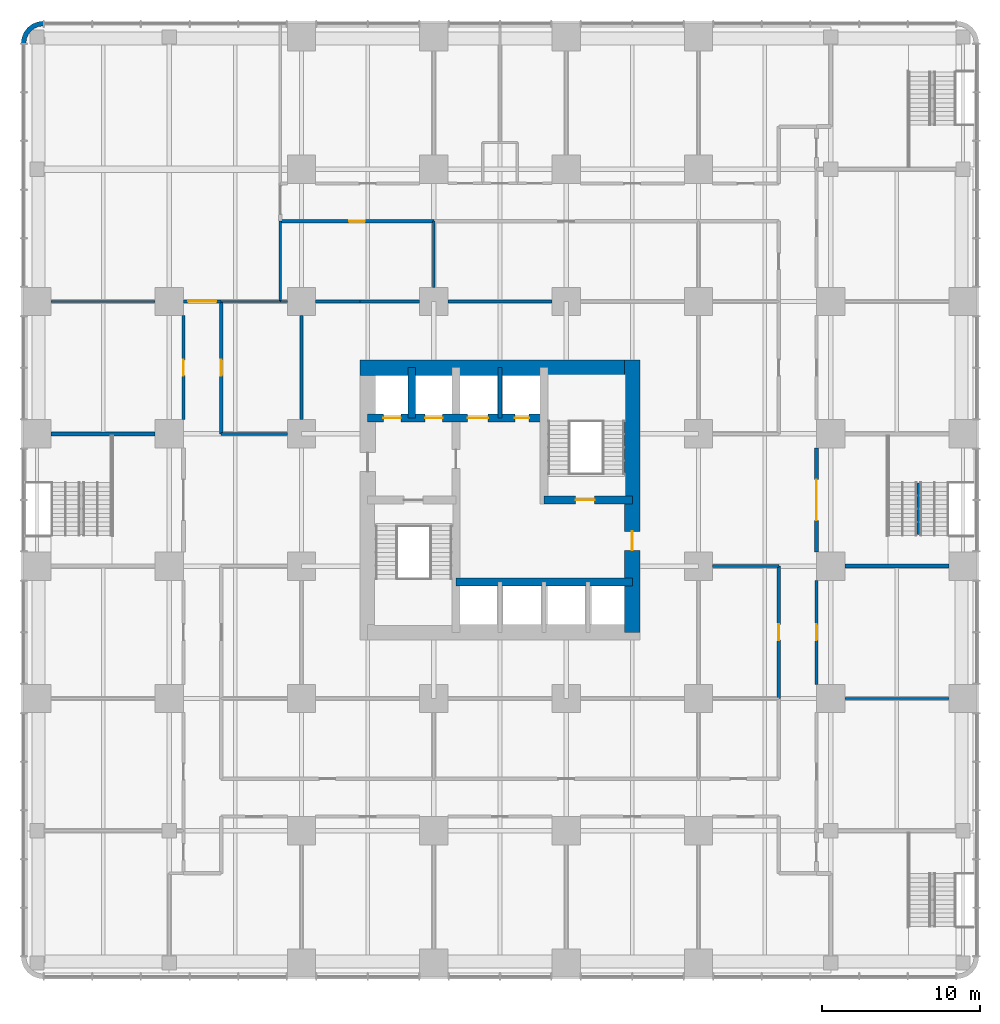
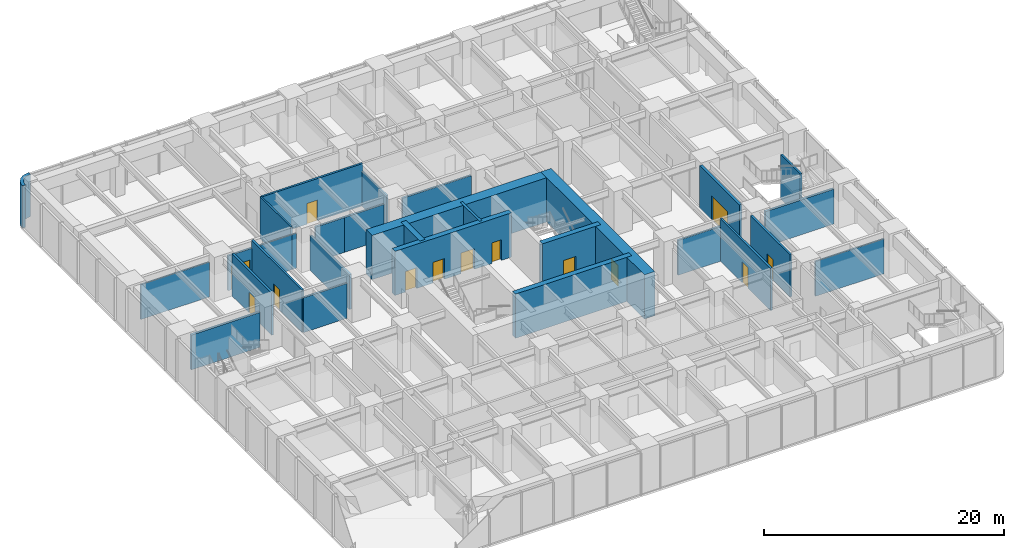
# One storey, part 11 of 17: 30 walls, 13 doors, 13 openings.
"""IFC4 building model written with IfcOpenShell, lengths in metres."""

from ifc_helpers import new_model, si_unit, direction, frame, frame_2d, origin, place, context, subcontext, project, spatial, polyline, rectangle, outline, extrude, material, layer, layer_set, type_object, element, fill, save


model = new_model("IFC4")

# Units and contexts
model_context = context("Model", 3, precision=1e-05, world=origin(), true_north=direction((0.0, 1.0)))
body_context = subcontext(model_context, "Body", "Model", "MODEL_VIEW")
ifc_project = project(units=[si_unit("LENGTHUNIT", "METRE"), si_unit("AREAUNIT", "SQUARE_METRE"), si_unit("VOLUMEUNIT", "CUBIC_METRE"), si_unit("PLANEANGLEUNIT", "RADIAN"), si_unit("MASSUNIT", "GRAM", prefix="KILO")], contexts=[model_context])

# Site, building, storey
site_placement = place(None, origin())
site = spatial("IfcSite", under=ifc_project, at=site_placement, CompositionType="ELEMENT")
building_placement = place(site_placement, origin())
building = spatial("IfcBuilding", under=site, at=building_placement, Name="Torre Alcanfor", CompositionType="ELEMENT")
storey_placement = place(building_placement, frame((0.0, 0.0, 19.5)))
storey = spatial("IfcBuildingStorey", under=building, at=storey_placement, Name="L04", CompositionType="ELEMENT", Elevation=19.5)

# Walls
ifc_material_1 = material(Name="Concrete block masonry, hollow blocks NMX-C-404 9 MPa", Category="masonry")
ifc_layer_1 = layer(ifc_material_1, 0.14990234375)
ifc_layer_set_1 = layer_set([ifc_layer_1], Name="Classroom partition 150")
wall_type_1 = type_object("IfcWallType", Name="Classroom partition 150", PredefinedType="PARTITIONING", material=ifc_layer_set_1)
wall_1_placement = place(storey_placement, frame((51.300048828125, 16.800048828125, 0.0), z_axis=(0.0, 0.0, 1.0), x_axis=(1.0, 0.0, 0.0)))
element("IfcWall", 1, at=wall_1_placement, inside=storey, type_object=wall_type_1, Name="Partition L04-09 / L04-11", PredefinedType="PARTITIONING", context=body_context, shape_type="SweptSolid", body=[
    extrude(rectangle(XDim=6.599853515625, YDim=0.14990234375, at=frame_2d((3.2998046875, 0.0))), origin(), (0.0, 0.0, 1.0), 3.543212890625),
])
wall_2_placement = place(storey_placement, frame((0.89990234375, 42.0, 0.0), z_axis=(0.0, 0.0, 1.0), x_axis=(1.0, 0.0, 0.0)))
element("IfcWall", 2, at=wall_2_placement, inside=storey, type_object=wall_type_1, Name="Partition L04-12 / L04-HALL", PredefinedType="PARTITIONING", context=body_context, shape_type="SweptSolid", body=[
    extrude(rectangle(XDim=6.60009765625, YDim=0.14990234375, at=frame_2d((3.300048828125, 0.0))), origin(), (0.0, 0.0, 1.0), 3.543212890625),
])
wall_3_placement = place(storey_placement, frame((15.449951171875, 42.0, 0.0), z_axis=(0.0, 0.0, 1.0), x_axis=(-1.0, 0.0, 0.0)))
element("IfcWall", 3, at=wall_3_placement, inside=storey, type_object=wall_type_1, Name="Partition L04-HALL / L04-I06", PredefinedType="PARTITIONING", context=body_context, shape_type="SweptSolid", body=[
    extrude(rectangle(XDim=3.75, YDim=0.14990234375, at=frame_2d((1.875, 0.0))), origin(), (0.0, 0.0, 1.0), 3.543212890625),
])
wall_4_placement = place(storey_placement, frame((15.449951171875, 47.10009765625, 0.0), z_axis=(0.0, 0.0, 1.0), x_axis=(0.0, -1.0, 0.0)))
element("IfcWall", 4, at=wall_4_placement, inside=storey, type_object=wall_type_1, Name="Partition L04-HALL / L04-I08", PredefinedType="PARTITIONING", context=body_context, shape_type="SweptSolid", body=[
    extrude(rectangle(XDim=5.10009765625, YDim=0.14990234375, at=frame_2d((2.550048828125, 0.0))), origin(), (0.0, 0.0, 1.0), 4.300048828125),
])
wall_5_placement = place(storey_placement, frame((15.449951171875, 42.0, 0.0), z_axis=(0.0, 0.0, 1.0), x_axis=(1.0, 0.0, 0.0)))
element("IfcWall", 5, at=wall_5_placement, inside=storey, type_object=wall_type_1, Name="Partition L04-I06 / L04-I08", PredefinedType="PARTITIONING", context=body_context, shape_type="SweptSolid", body=[
    extrude(rectangle(XDim=0.449951171875, YDim=0.14990234375, at=frame_2d((0.22509765625, 0.0))), origin(), (0.0, 0.0, 1.0), 3.543212890625),
])
wall_6_placement = place(storey_placement, frame((25.199951171875, 47.10009765625, 0.0), z_axis=(0.0, 0.0, 1.0), x_axis=(0.0, -1.0, 0.0)))
element("IfcWall", 6, at=wall_6_placement, inside=storey, type_object=wall_type_1, Name="Partition L04-I08 / L04-I09", PredefinedType="PARTITIONING", context=body_context, shape_type="SweptSolid", body=[
    extrude(rectangle(XDim=4.2001953125, YDim=0.14990234375, at=frame_2d((2.10009765625, 0.0))), origin(), (0.0, 0.0, 1.0), 3.543212890625),
])

# Wall, openings, doors
ifc_material_2 = material(Name="Concrete f'c 70 MPa", Category="concrete")
ifc_layer_2 = layer(ifc_material_2, 0.5)
ifc_layer_set_2 = layer_set([ifc_layer_2], Name="Core inner wall 500 f'c70")
wall_type_2 = type_object("IfcWallType", Name="Core inner wall 500 f'c70", PredefinedType="SHEAR", material=ifc_layer_set_2)
wall_7_placement = place(storey_placement, frame((21.0, 34.60009765625, 0.0), z_axis=(0.0, 0.0, 1.0), x_axis=(1.0, 0.0, 0.0)))
wall_7 = element("IfcWall", 7, at=wall_7_placement, inside=storey, type_object=wall_type_2, Name="Core wall Y346 L04", PredefinedType="SHEAR", context=body_context, shape_type="SweptSolid", body=[
    extrude(rectangle(XDim=11.199951171875, YDim=0.5, at=frame_2d((5.60009765625, 0.0))), origin(), (0.0, 0.0, 1.0), 4.5),
])
opening_1_placement = place(wall_7_placement, frame((9.35009765625, 0.0, 0.0)))
opening_1 = element("IfcOpeningElement", 8, at=opening_1_placement, cuts=wall_7, Name="Opening D-Q1", PredefinedType="OPENING", context=body_context, shape_type="SweptSolid", body=[
    extrude(rectangle(XDim=0.89990234375, YDim=2.10009765625, at=frame_2d((0.449951171875, 1.050048828125))), frame((0.0, 0.260009765625, 0.0), z_axis=(0.0, -1.0, 0.0), x_axis=(1.0, 0.0, 0.0)), (0.0, 0.0, 1.0), 0.52001953125),
])
opening_2_placement = place(wall_7_placement, frame((1.0, 0.0, 0.0)))
opening_2 = element("IfcOpeningElement", 9, at=opening_2_placement, cuts=wall_7, Name="Opening LD2", PredefinedType="OPENING", context=body_context, shape_type="SweptSolid", body=[
    extrude(rectangle(XDim=1.10009765625, YDim=2.10009765625, at=frame_2d((0.550048828125, 1.050048828125))), frame((0.0, 0.260009765625, 0.0), z_axis=(0.0, -1.0, 0.0), x_axis=(1.0, 0.0, 0.0)), (0.0, 0.0, 1.0), 0.52001953125),
])
opening_3_placement = place(wall_7_placement, frame((3.64990234375, 0.0, 0.0)))
opening_3 = element("IfcOpeningElement", 10, at=opening_3_placement, cuts=wall_7, Name="Opening LD2", PredefinedType="OPENING", context=body_context, shape_type="SweptSolid", body=[
    extrude(rectangle(XDim=1.10009765625, YDim=2.10009765625, at=frame_2d((0.550048828125, 1.050048828125))), frame((0.0, 0.260009765625, 0.0), z_axis=(0.0, -1.0, 0.0), x_axis=(1.0, 0.0, 0.0)), (0.0, 0.0, 1.0), 0.52001953125),
])
opening_4_placement = place(wall_7_placement, frame((6.35009765625, 0.0, 0.0)))
opening_4 = element("IfcOpeningElement", 11, at=opening_4_placement, cuts=wall_7, Name="Opening LD3", PredefinedType="OPENING", context=body_context, shape_type="SweptSolid", body=[
    extrude(rectangle(XDim=1.300048828125, YDim=2.10009765625, at=frame_2d((0.64990234375, 1.050048828125))), frame((0.0, 0.260009765625, 0.0), z_axis=(0.0, -1.0, 0.0), x_axis=(1.0, 0.0, 0.0)), (0.0, 0.0, 1.0), 0.52001953125),
])
ifc_material_3 = material(Name="Galvanised steel sheet ASTM A653", Category="steel")
door_type_1 = type_object("IfcDoorType", Name="Firefighting lift landing door 1100x2100", OperationType="DOUBLE_DOOR_SLIDING", PredefinedType="DOOR", material=ifc_material_3)
door_1_placement = place(opening_2_placement, origin())
door_1 = element("IfcDoor", 12, at=door_1_placement, inside=storey, type_object=door_type_1, Name="Lift landing door FL1 L04", OperationType="DOUBLE_DOOR_SLIDING", OverallHeight=2.10009765625, OverallWidth=1.10009765625, PredefinedType="DOOR", context=body_context, shape_type="SweptSolid", body=[
    extrude(rectangle(XDim=1.10009765625, YDim=2.10009765625, at=frame_2d((0.550048828125, 1.050048828125))), frame((0.0, 0.02490234375, 0.0), z_axis=(0.0, -1.0, 0.0), x_axis=(1.0, 0.0, 0.0)), (0.0, 0.0, 1.0), 0.050048828125),
])
fill(opening_2, door_1)
door_2_placement = place(opening_3_placement, origin())
door_2 = element("IfcDoor", 13, at=door_2_placement, inside=storey, type_object=door_type_1, Name="Lift landing door FL2 L04", OperationType="DOUBLE_DOOR_SLIDING", OverallHeight=2.10009765625, OverallWidth=1.10009765625, PredefinedType="DOOR", context=body_context, shape_type="SweptSolid", body=[
    extrude(rectangle(XDim=1.10009765625, YDim=2.10009765625, at=frame_2d((0.550048828125, 1.050048828125))), frame((0.0, 0.02490234375, 0.0), z_axis=(0.0, -1.0, 0.0), x_axis=(1.0, 0.0, 0.0)), (0.0, 0.0, 1.0), 0.050048828125),
])
fill(opening_3, door_2)
ifc_material_4 = material(Name="Galvanised steel sheet ASTM A653", Category="steel")
door_type_2 = type_object("IfcDoorType", Name="Riser access door FD120 900x2100", OperationType="SINGLE_SWING_LEFT", PredefinedType="DOOR", material=ifc_material_4)
door_3_placement = place(opening_1_placement, origin())
door_3 = element("IfcDoor", 14, at=door_3_placement, inside=storey, type_object=door_type_2, Name="Riser door L04", OperationType="SINGLE_SWING_LEFT", OverallHeight=2.10009765625, OverallWidth=0.89990234375, PredefinedType="DOOR", context=body_context, shape_type="SweptSolid", body=[
    extrude(rectangle(XDim=0.89990234375, YDim=2.10009765625, at=frame_2d((0.449951171875, 1.050048828125))), frame((0.0, 0.02490234375, 0.0), z_axis=(0.0, -1.0, 0.0), x_axis=(1.0, 0.0, 0.0)), (0.0, 0.0, 1.0), 0.050048828125),
])
fill(opening_1, door_3)
ifc_material_5 = material(Name="Galvanised steel sheet ASTM A653", Category="steel")
door_type_3 = type_object("IfcDoorType", Name="Service lift landing door 1300x2100", OperationType="DOUBLE_DOOR_SLIDING", PredefinedType="DOOR", material=ifc_material_5)
door_4_placement = place(opening_4_placement, origin())
door_4 = element("IfcDoor", 15, at=door_4_placement, inside=storey, type_object=door_type_3, Name="Lift landing door SL1 L04", OperationType="DOUBLE_DOOR_SLIDING", OverallHeight=2.10009765625, OverallWidth=1.300048828125, PredefinedType="DOOR", context=body_context, shape_type="SweptSolid", body=[
    extrude(rectangle(XDim=1.300048828125, YDim=2.10009765625, at=frame_2d((0.64990234375, 1.050048828125))), frame((0.0, 0.02490234375, 0.0), z_axis=(0.0, -1.0, 0.0), x_axis=(1.0, 0.0, 0.0)), (0.0, 0.0, 1.0), 0.050048828125),
])
fill(opening_4, door_4)

# Walls
wall_8_placement = place(storey_placement, frame((23.800048828125, 34.60009765625, 0.0), z_axis=(0.0, 0.0, 1.0), x_axis=(0.0, 1.0, 0.0)))
element("IfcWall", 16, at=wall_8_placement, inside=storey, type_object=wall_type_2, Name="Core wall X238 L04", PredefinedType="SHEAR", context=body_context, shape_type="SweptSolid", body=[
    extrude(rectangle(XDim=3.199951171875, YDim=0.5, at=frame_2d((1.60009765625, 0.0))), origin(), (0.0, 0.0, 1.0), 4.5),
])
wall_9_placement = place(storey_placement, frame((26.60009765625, 24.199951171875, 0.0), z_axis=(0.0, 0.0, 1.0), x_axis=(1.0, 0.0, 0.0)))
element("IfcWall", 17, at=wall_9_placement, inside=storey, type_object=wall_type_2, Name="Core wall Y242 L04", PredefinedType="SHEAR", context=body_context, shape_type="SweptSolid", body=[
    extrude(rectangle(XDim=11.199951171875, YDim=0.5, at=frame_2d((5.60009765625, 0.0))), origin(), (0.0, 0.0, 1.0), 4.5),
])

# Wall, opening, door
wall_10_placement = place(storey_placement, frame((32.199951171875, 29.39990234375, 0.0), z_axis=(0.0, 0.0, 1.0), x_axis=(1.0, 0.0, 0.0)))
wall_10 = element("IfcWall", 18, at=wall_10_placement, inside=storey, type_object=wall_type_2, Name="Core wall Y294E L04", PredefinedType="SHEAR", context=body_context, shape_type="SweptSolid", body=[
    extrude(rectangle(XDim=5.60009765625, YDim=0.5, at=frame_2d((2.800048828125, 0.0))), origin(), (0.0, 0.0, 1.0), 4.5),
])
opening_5_placement = place(wall_10_placement, frame((2.0, 0.0, 0.0)))
opening_5 = element("IfcOpeningElement", 19, at=opening_5_placement, cuts=wall_10, Name="Opening D-S2", PredefinedType="OPENING", context=body_context, shape_type="SweptSolid", body=[
    extrude(rectangle(XDim=1.199951171875, YDim=2.10009765625, at=frame_2d((0.60009765625, 1.050048828125))), frame((0.0, 0.260009765625, 0.0), z_axis=(0.0, -1.0, 0.0), x_axis=(1.0, 0.0, 0.0)), (0.0, 0.0, 1.0), 0.52001953125),
])
ifc_material_6 = material(Name="Galvanised steel sheet ASTM A653", Category="steel")
door_type_4 = type_object("IfcDoorType", Name="Stair enclosure door FD120 1200x2100", OperationType="SINGLE_SWING_LEFT", PredefinedType="DOOR", material=ifc_material_6)
door_5_placement = place(opening_5_placement, origin())
door_5 = element("IfcDoor", 20, at=door_5_placement, inside=storey, type_object=door_type_4, Name="Stair S2 door L04", OperationType="SINGLE_SWING_LEFT", OverallHeight=2.10009765625, OverallWidth=1.199951171875, PredefinedType="DOOR", context=body_context, shape_type="SweptSolid", body=[
    extrude(rectangle(XDim=1.199951171875, YDim=2.10009765625, at=frame_2d((0.60009765625, 1.050048828125))), frame((0.0, 0.02490234375, 0.0), z_axis=(0.0, -1.0, 0.0), x_axis=(1.0, 0.0, 0.0)), (0.0, 0.0, 1.0), 0.050048828125),
])
fill(opening_5, door_5)

# Wall
ifc_material_7 = material(Name="Concrete f'c 70 MPa", Category="concrete")
ifc_layer_3 = layer(ifc_material_7, 0.25)
ifc_layer_set_3 = layer_set([ifc_layer_3], Name="Core shaft wall 250 f'c70")
wall_type_3 = type_object("IfcWallType", Name="Core shaft wall 250 f'c70", PredefinedType="SHEAR", material=ifc_layer_set_3)
wall_11_placement = place(storey_placement, frame((29.39990234375, 34.60009765625, 0.0), z_axis=(0.0, 0.0, 1.0), x_axis=(0.0, 1.0, 0.0)))
element("IfcWall", 21, at=wall_11_placement, inside=storey, type_object=wall_type_3, Name="Core wall X294N L04", PredefinedType="SHEAR", context=body_context, shape_type="SweptSolid", body=[
    extrude(rectangle(XDim=3.199951171875, YDim=0.25, at=frame_2d((1.60009765625, 0.0))), origin(), (0.0, 0.0, 1.0), 4.5),
])

# Wall, opening, door
ifc_material_8 = material(Name="Concrete f'c 70 MPa", Category="concrete")
ifc_layer_4 = layer(ifc_material_8, 1.0)
ifc_layer_set_4 = layer_set([ifc_layer_4], Name="Core wall 1000 f'c70")
wall_type_4 = type_object("IfcWallType", Name="Core wall 1000 f'c70", PredefinedType="SHEAR", material=ifc_layer_set_4)
wall_12_placement = place(storey_placement, frame((37.800048828125, 21.0, 0.0), z_axis=(0.0, 0.0, 1.0), x_axis=(0.0, 1.0, 0.0)))
wall_12 = element("IfcWall", 22, at=wall_12_placement, inside=storey, type_object=wall_type_4, Name="Core wall OUT-E L04", PredefinedType="SHEAR", context=body_context, shape_type="SweptSolid", body=[
    extrude(rectangle(XDim=17.300048828125, YDim=1.0, at=frame_2d((8.64990234375, 0.0))), origin(), (0.0, 0.0, 1.0), 4.5),
])
opening_6_placement = place(wall_12_placement, frame((5.199951171875, 0.0, 0.0)))
opening_6 = element("IfcOpeningElement", 23, at=opening_6_placement, cuts=wall_12, Name="Opening D-L1", PredefinedType="OPENING", context=body_context, shape_type="SweptSolid", body=[
    extrude(rectangle(XDim=1.199951171875, YDim=2.10009765625, at=frame_2d((0.60009765625, 1.050048828125))), frame((0.0, 0.510009765625, 0.0), z_axis=(0.0, -1.0, 0.0), x_axis=(1.0, 0.0, 0.0)), (0.0, 0.0, 1.0), 1.02001953125),
])
ifc_material_9 = material(Name="Galvanised steel sheet ASTM A653", Category="steel")
door_type_5 = type_object("IfcDoorType", Name="Lobby door FD120 1200x2100", OperationType="SINGLE_SWING_LEFT", PredefinedType="DOOR", material=ifc_material_9)
door_6_placement = place(opening_6_placement, frame((1.199951171875, 0.0, 0.0), z_axis=(0.0, 0.0, 1.0), x_axis=(-1.0, 0.0, 0.0)))
door_6 = element("IfcDoor", 24, at=door_6_placement, inside=storey, type_object=door_type_5, Name="Lift lobby entrance door L04", OperationType="SINGLE_SWING_RIGHT", OverallHeight=2.10009765625, OverallWidth=1.199951171875, PredefinedType="DOOR", context=body_context, shape_type="SweptSolid", body=[
    extrude(rectangle(XDim=1.199951171875, YDim=2.10009765625, at=frame_2d((0.599853515625, 1.050048828125))), frame((0.0, 0.025146484375, 0.0), z_axis=(0.0, -1.0, 0.0), x_axis=(1.0, 0.0, 0.0)), (0.0, 0.0, 1.0), 0.050048828125),
])
fill(opening_6, door_6)

# Walls
wall_13_placement = place(storey_placement, frame((37.800048828125, 37.800048828125, 0.0), z_axis=(0.0, 0.0, 1.0), x_axis=(-1.0, 0.0, 0.0)))
element("IfcWall", 25, at=wall_13_placement, inside=storey, type_object=wall_type_4, Name="Core wall OUT-N L04", PredefinedType="SHEAR", context=body_context, shape_type="SweptSolid", body=[
    extrude(rectangle(XDim=17.300048828125, YDim=1.0, at=frame_2d((8.64990234375, 0.0))), origin(), (0.0, 0.0, 1.0), 4.5),
])
ifc_material_10 = material(Name="Limestone cladding", Category="masonry")
ifc_layer_5 = layer(ifc_material_10, 0.0400390625, Name="Facing")
ifc_material_11 = material(Name="Ventilated air cavity")
ifc_layer_6 = layer(ifc_material_11, 0.02001953125, ventilated=True, Name="Ventilated joint")
ifc_material_12 = material(Name="Mineral wool insulation", Category="insulation")
ifc_layer_7 = layer(ifc_material_12, 0.10009765625, Name="Insulation")
ifc_material_13 = material(Name="Concrete f'c 35 MPa", Category="concrete")
ifc_layer_8 = layer(ifc_material_13, 0.139892578125, Name="Backing")
ifc_layer_set_5 = layer_set([ifc_layer_5, ifc_layer_6, ifc_layer_7, ifc_layer_8], Name="Rounded corner pier stone-clad 300")
wall_type_5 = type_object("IfcWallType", Name="Rounded corner pier stone-clad 300", PredefinedType="SOLIDWALL", material=ifc_layer_set_5)
wall_14_placement = place(storey_placement, frame((0.444811019, 59.647901787, 0.0), z_axis=(0.0, 0.0, 1.0), x_axis=(-0.707106781187, 0.707106781187, 0.0)))
element("IfcWall", 26, at=wall_14_placement, inside=storey, type_object=wall_type_5, Name="Corner pier L04 6", PredefinedType="SOLIDWALL", context=body_context, shape_type="SweptSolid", body=[
    extrude(outline(polyline([(0.1391667998288333, 1.9041045383070583), (-0.10079375335703122, 1.719731969384394), (-0.08681044054548093, 1.7057486565728435), (0.09963373027519085, 1.4626807005399678), (0.20925599737808592, 1.1980335580695145), (0.24654483154222023, 0.9142240980424918), (0.2092559973780859, 0.6300693710324682), (0.09963373027519096, 0.3654222285620147), (-0.08681044054548079, 0.12235427252913894), (-0.10079375335703117, 0.10837095971758856), (0.139339433320334, -0.07582897571357508), (0.36169137037313503, 0.2141952900074698), (0.5015244984886389, 0.5518663993826864), (0.5491713421428104, 0.9140514645509912), (0.5016971319801394, 1.2764091632107966), (0.36169137037313503, 1.614252906077514), (0.1391667998288333, 1.9041045383070583)])), origin(), (0.0, 0.0, 1.0), 4.300048828125),
])

# Wall, opening, door
ifc_material_14 = material(Name="Concrete block masonry, hollow blocks NMX-C-404 9 MPa", Category="masonry")
ifc_layer_9 = layer(ifc_material_14, 0.199951171875)
ifc_layer_set_6 = layer_set([ifc_layer_9], Name="School corridor wall 200")
wall_type_6 = type_object("IfcWallType", Name="School corridor wall 200", PredefinedType="PARTITIONING", material=ifc_layer_set_6)
wall_15_placement = place(storey_placement, frame((49.5, 17.699951171875, 0.0), z_axis=(0.0, 0.0, 1.0), x_axis=(0.0, 1.0, 0.0)))
wall_15 = element("IfcWall", 27, at=wall_15_placement, inside=storey, type_object=wall_type_6, Name="Partition L04-11 / L04-CORR", PredefinedType="PARTITIONING", context=body_context, shape_type="SweptSolid", body=[
    extrude(rectangle(XDim=6.60009765625, YDim=0.199951171875, at=frame_2d((3.300048828125, 0.0))), origin(), (0.0, 0.0, 1.0), 4.300048828125),
])
opening_7_placement = place(wall_15_placement, frame((2.800048828125, 0.0, 0.0)))
opening_7 = element("IfcOpeningElement", 28, at=opening_7_placement, cuts=wall_15, Name="Opening D-C1", PredefinedType="OPENING", context=body_context, shape_type="SweptSolid", body=[
    extrude(rectangle(XDim=1.0, YDim=2.10009765625, at=frame_2d((0.5, 1.050048828125))), frame((0.0, 0.10986328125, 0.0), z_axis=(0.0, -1.0, 0.0), x_axis=(1.0, 0.0, 0.0)), (0.0, 0.0, 1.0), 0.219970703125),
])
ifc_material_15 = material(Name="Timber", Category="wood")
door_type_6 = type_object("IfcDoorType", Name="Classroom door 1000x2100", OperationType="SINGLE_SWING_RIGHT", PredefinedType="DOOR", material=ifc_material_15)
door_7_placement = place(opening_7_placement, frame((1.0, 0.0, 0.0), z_axis=(0.0, 0.0, 1.0), x_axis=(-1.0, 0.0, 0.0)))
door_7 = element("IfcDoor", 29, at=door_7_placement, inside=storey, type_object=door_type_6, Name="Door L04-11 classroom", OperationType="SINGLE_SWING_RIGHT", OverallHeight=2.10009765625, OverallWidth=1.0, PredefinedType="DOOR", context=body_context, shape_type="SweptSolid", body=[
    extrude(rectangle(XDim=1.0, YDim=2.10009765625, at=frame_2d((0.5, 1.050048828125))), frame((0.0, 0.025146484375, 0.0), z_axis=(0.0, -1.0, 0.0), x_axis=(1.0, 0.0, 0.0)), (0.0, 0.0, 1.0), 0.050048828125),
])
fill(opening_7, door_7)

wall_16_placement = place(storey_placement, frame((9.300048828125, 41.10009765625, 0.0), z_axis=(0.0, 0.0, 1.0), x_axis=(0.0, -1.0, 0.0)))
wall_16 = element("IfcWall", 30, at=wall_16_placement, inside=storey, type_object=wall_type_6, Name="Partition L04-12 / L04-CORR", PredefinedType="PARTITIONING", context=body_context, shape_type="SweptSolid", body=[
    extrude(rectangle(XDim=6.60009765625, YDim=0.199951171875, at=frame_2d((3.300048828125, 0.0))), origin(), (0.0, 0.0, 1.0), 4.300048828125),
])
opening_8_placement = place(wall_16_placement, frame((2.800048828125, 0.0, 0.0)))
opening_8 = element("IfcOpeningElement", 31, at=opening_8_placement, cuts=wall_16, Name="Opening D-C1", PredefinedType="OPENING", context=body_context, shape_type="SweptSolid", body=[
    extrude(rectangle(XDim=1.0, YDim=2.10009765625, at=frame_2d((0.5, 1.050048828125))), frame((0.0, 0.10986328125, 0.0), z_axis=(0.0, -1.0, 0.0), x_axis=(1.0, 0.0, 0.0)), (0.0, 0.0, 1.0), 0.219970703125),
])
door_8_placement = place(opening_8_placement, frame((1.0, 0.0, 0.0), z_axis=(0.0, 0.0, 1.0), x_axis=(-1.0, 0.0, 0.0)))
door_8 = element("IfcDoor", 32, at=door_8_placement, inside=storey, type_object=door_type_6, Name="Door L04-12 classroom", OperationType="SINGLE_SWING_RIGHT", OverallHeight=2.10009765625, OverallWidth=1.0, PredefinedType="DOOR", context=body_context, shape_type="SweptSolid", body=[
    extrude(rectangle(XDim=1.0, YDim=2.10009765625, at=frame_2d((0.5, 1.050048828125))), frame((0.0, 0.025146484375, 0.0), z_axis=(0.0, -1.0, 0.0), x_axis=(1.0, 0.0, 0.0)), (0.0, 0.0, 1.0), 0.050048828125),
])
fill(opening_8, door_8)

wall_17_placement = place(storey_placement, frame((11.699951171875, 42.0, 0.0), z_axis=(0.0, 0.0, 1.0), x_axis=(-1.0, 0.0, 0.0)))
wall_17 = element("IfcWall", 33, at=wall_17_placement, inside=storey, type_object=wall_type_6, Name="Partition L04-HALL / L04-CORR", PredefinedType="PARTITIONING", context=body_context, shape_type="SweptSolid", body=[
    extrude(rectangle(XDim=2.39990234375, YDim=0.199951171875, at=frame_2d((1.199951171875, 0.0))), origin(), (0.0, 0.0, 1.0), 3.543212890625),
])
opening_9_placement = place(wall_17_placement, frame((0.300048828125, 0.0, 0.0)))
opening_9 = element("IfcOpeningElement", 34, at=opening_9_placement, cuts=wall_17, Name="Opening D-C2", PredefinedType="OPENING", context=body_context, shape_type="SweptSolid", body=[
    extrude(rectangle(XDim=1.800048828125, YDim=2.39990234375, at=frame_2d((0.89990234375, 1.199951171875))), frame((0.0, 0.10986328125, 0.0), z_axis=(0.0, -1.0, 0.0), x_axis=(1.0, 0.0, 0.0)), (0.0, 0.0, 1.0), 0.219970703125),
])
ifc_material_16 = material(Name="Timber", Category="wood")
door_type_7 = type_object("IfcDoorType", Name="Double door 1800x2400", OperationType="DOUBLE_DOOR_SINGLE_SWING", PredefinedType="DOOR", material=ifc_material_16)
door_9_placement = place(opening_9_placement, origin())
door_9 = element("IfcDoor", 35, at=door_9_placement, inside=storey, type_object=door_type_7, Name="Door L04-HALL sports hall", OperationType="DOUBLE_DOOR_SINGLE_SWING", OverallHeight=2.39990234375, OverallWidth=1.800048828125, PredefinedType="DOOR", context=body_context, shape_type="SweptSolid", body=[
    extrude(rectangle(XDim=1.800048828125, YDim=2.39990234375, at=frame_2d((0.89990234375, 1.199951171875))), frame((0.0, 0.02490234375, 0.0), z_axis=(0.0, -1.0, 0.0), x_axis=(1.0, 0.0, 0.0)), (0.0, 0.0, 1.0), 0.050048828125),
])
fill(opening_9, door_9)

wall_18_placement = place(storey_placement, frame((47.10009765625, 16.800048828125, 0.0), z_axis=(0.0, 0.0, 1.0), x_axis=(0.0, 1.0, 0.0)))
wall_18 = element("IfcWall", 36, at=wall_18_placement, inside=storey, type_object=wall_type_6, Name="Partition L04-CORR / L04-I05", PredefinedType="PARTITIONING", context=body_context, shape_type="SweptSolid", body=[
    extrude(rectangle(XDim=8.39990234375, YDim=0.199951171875, at=frame_2d((4.199951171875, 0.0))), origin(), (0.0, 0.0, 1.0), 4.300048828125),
])
opening_10_placement = place(wall_18_placement, frame((3.699951171875, 0.0, 0.0)))
opening_10 = element("IfcOpeningElement", 37, at=opening_10_placement, cuts=wall_18, Name="Opening D-C1", PredefinedType="OPENING", context=body_context, shape_type="SweptSolid", body=[
    extrude(rectangle(XDim=1.0, YDim=2.10009765625, at=frame_2d((0.5, 1.050048828125))), frame((0.0, 0.10986328125, 0.0), z_axis=(0.0, -1.0, 0.0), x_axis=(1.0, 0.0, 0.0)), (0.0, 0.0, 1.0), 0.219970703125),
])
door_10_placement = place(opening_10_placement, origin())
door_10 = element("IfcDoor", 38, at=door_10_placement, inside=storey, type_object=door_type_6, Name="Door L04-I05 group room", OperationType="SINGLE_SWING_LEFT", OverallHeight=2.10009765625, OverallWidth=1.0, PredefinedType="DOOR", context=body_context, shape_type="SweptSolid", body=[
    extrude(rectangle(XDim=1.0, YDim=2.10009765625, at=frame_2d((0.5, 1.050048828125))), frame((0.0, 0.02490234375, 0.0), z_axis=(0.0, -1.0, 0.0), x_axis=(1.0, 0.0, 0.0)), (0.0, 0.0, 1.0), 0.050048828125),
])
fill(opening_10, door_10)

wall_19_placement = place(storey_placement, frame((11.699951171875, 42.0, 0.0), z_axis=(0.0, 0.0, 1.0), x_axis=(0.0, -1.0, 0.0)))
wall_19 = element("IfcWall", 39, at=wall_19_placement, inside=storey, type_object=wall_type_6, Name="Partition L04-CORR / L04-I06", PredefinedType="PARTITIONING", context=body_context, shape_type="SweptSolid", body=[
    extrude(rectangle(XDim=8.39990234375, YDim=0.199951171875, at=frame_2d((4.199951171875, 0.0))), origin(), (0.0, 0.0, 1.0), 4.300048828125),
])
opening_11_placement = place(wall_19_placement, frame((3.699951171875, 0.0, 0.0)))
opening_11 = element("IfcOpeningElement", 40, at=opening_11_placement, cuts=wall_19, Name="Opening D-C1", PredefinedType="OPENING", context=body_context, shape_type="SweptSolid", body=[
    extrude(rectangle(XDim=1.0, YDim=2.10009765625, at=frame_2d((0.5, 1.050048828125))), frame((0.0, 0.10986328125, 0.0), z_axis=(0.0, -1.0, 0.0), x_axis=(1.0, 0.0, 0.0)), (0.0, 0.0, 1.0), 0.219970703125),
])
door_11_placement = place(opening_11_placement, origin())
door_11 = element("IfcDoor", 41, at=door_11_placement, inside=storey, type_object=door_type_6, Name="Door L04-I06 group room", OperationType="SINGLE_SWING_LEFT", OverallHeight=2.10009765625, OverallWidth=1.0, PredefinedType="DOOR", context=body_context, shape_type="SweptSolid", body=[
    extrude(rectangle(XDim=1.0, YDim=2.10009765625, at=frame_2d((0.5, 1.050048828125))), frame((0.0, 0.02490234375, 0.0), z_axis=(0.0, -1.0, 0.0), x_axis=(1.0, 0.0, 0.0)), (0.0, 0.0, 1.0), 0.050048828125),
])
fill(opening_11, door_11)

wall_20_placement = place(storey_placement, frame((25.199951171875, 47.10009765625, 0.0), z_axis=(0.0, 0.0, 1.0), x_axis=(-1.0, 0.0, 0.0)))
wall_20 = element("IfcWall", 42, at=wall_20_placement, inside=storey, type_object=wall_type_6, Name="Partition L04-CORR / L04-I08", PredefinedType="PARTITIONING", context=body_context, shape_type="SweptSolid", body=[
    extrude(rectangle(XDim=9.75, YDim=0.199951171875, at=frame_2d((4.875, 0.0))), origin(), (0.0, 0.0, 1.0), 4.300048828125),
])
opening_12_placement = place(wall_20_placement, frame((4.375, 0.0, 0.0)))
opening_12 = element("IfcOpeningElement", 43, at=opening_12_placement, cuts=wall_20, Name="Opening D-C1", PredefinedType="OPENING", context=body_context, shape_type="SweptSolid", body=[
    extrude(rectangle(XDim=1.0, YDim=2.10009765625, at=frame_2d((0.5, 1.050048828125))), frame((0.0, 0.10986328125, 0.0), z_axis=(0.0, -1.0, 0.0), x_axis=(1.0, 0.0, 0.0)), (0.0, 0.0, 1.0), 0.219970703125),
])
door_12_placement = place(opening_12_placement, origin())
door_12 = element("IfcDoor", 44, at=door_12_placement, inside=storey, type_object=door_type_6, Name="Door L04-I08 art room", OperationType="SINGLE_SWING_LEFT", OverallHeight=2.10009765625, OverallWidth=1.0, PredefinedType="DOOR", context=body_context, shape_type="SweptSolid", body=[
    extrude(rectangle(XDim=1.0, YDim=2.10009765625, at=frame_2d((0.5, 1.050048828125))), frame((0.0, 0.02490234375, 0.0), z_axis=(0.0, -1.0, 0.0), x_axis=(1.0, 0.0, 0.0)), (0.0, 0.0, 1.0), 0.050048828125),
])
fill(opening_12, door_12)

# Walls
wall_21_placement = place(storey_placement, frame((11.699951171875, 33.60009765625, 0.0), z_axis=(0.0, 0.0, 1.0), x_axis=(1.0, 0.0, 0.0)))
element("IfcWall", 45, at=wall_21_placement, inside=storey, type_object=wall_type_6, Name="Partition L04-LLW / L04-I06", PredefinedType="PARTITIONING", context=body_context, shape_type="SweptSolid", body=[
    extrude(rectangle(XDim=4.199951171875, YDim=0.199951171875, at=frame_2d((2.10009765625, 0.0))), origin(), (0.0, 0.0, 1.0), 3.543212890625),
])
wall_22_placement = place(storey_placement, frame((16.800048828125, 34.5, 0.0), z_axis=(0.0, 0.0, 1.0), x_axis=(0.0, 1.0, 0.0)))
element("IfcWall", 46, at=wall_22_placement, inside=storey, type_object=wall_type_6, Name="Partition L04-LLW / L04-I06", PredefinedType="PARTITIONING", context=body_context, shape_type="SweptSolid", body=[
    extrude(rectangle(XDim=6.60009765625, YDim=0.199951171875, at=frame_2d((3.300048828125, 0.0))), origin(), (0.0, 0.0, 1.0), 3.543212890625),
])
wall_23_placement = place(storey_placement, frame((17.699951171875, 42.0, 0.0), z_axis=(0.0, 0.0, 1.0), x_axis=(1.0, 0.0, 0.0)))
element("IfcWall", 47, at=wall_23_placement, inside=storey, type_object=wall_type_6, Name="Partition L04-LLW / L04-I08", PredefinedType="PARTITIONING", context=body_context, shape_type="SweptSolid", body=[
    extrude(rectangle(XDim=2.800048828125, YDim=0.199951171875, at=frame_2d((1.39990234375, 0.0))), origin(), (0.0, 0.0, 1.0), 3.543212890625),
])
wall_24_placement = place(storey_placement, frame((47.10009765625, 25.199951171875, 0.0), z_axis=(0.0, 0.0, 1.0), x_axis=(-1.0, 0.0, 0.0)))
element("IfcWall", 48, at=wall_24_placement, inside=storey, type_object=wall_type_6, Name="Partition L04-LLE / L04-I05", PredefinedType="PARTITIONING", context=body_context, shape_type="SweptSolid", body=[
    extrude(rectangle(XDim=4.2001953125, YDim=0.199951171875, at=frame_2d((2.10009765625, 0.0))), origin(), (0.0, 0.0, 1.0), 3.543212890625),
])
wall_25_placement = place(storey_placement, frame((20.5, 42.0, 0.0), z_axis=(0.0, 0.0, 1.0), x_axis=(1.0, 0.0, 0.0)))
element("IfcWall", 49, at=wall_25_placement, inside=storey, type_object=wall_type_6, Name="Partition L04-LLE / L04-I08", PredefinedType="PARTITIONING", context=body_context, shape_type="SweptSolid", body=[
    extrude(rectangle(XDim=3.800048828125, YDim=0.199951171875, at=frame_2d((1.89990234375, 0.0))), origin(), (0.0, 0.0, 1.0), 3.543212890625),
])
wall_26_placement = place(storey_placement, frame((26.10009765625, 42.0, 0.0), z_axis=(0.0, 0.0, 1.0), x_axis=(1.0, 0.0, 0.0)))
element("IfcWall", 50, at=wall_26_placement, inside=storey, type_object=wall_type_6, Name="Partition L04-LLE / L04-I09", PredefinedType="PARTITIONING", context=body_context, shape_type="SweptSolid", body=[
    extrude(rectangle(XDim=6.599853515625, YDim=0.199951171875, at=frame_2d((3.2998046875, 0.0))), origin(), (0.0, 0.0, 1.0), 3.543212890625),
])
ifc_material_17 = material(Name="Reinforced concrete block masonry, hollow blocks NMX-C-404 9 MPa", Category="masonry")
ifc_layer_10 = layer(ifc_material_17, 0.25)
ifc_layer_set_7 = layer_set([ifc_layer_10], Name="Stair enclosure wall 250 EI 120")
wall_type_7 = type_object("IfcWallType", Name="Stair enclosure wall 250 EI 120", PredefinedType="SOLIDWALL", material=ifc_layer_set_7)
wall_27_placement = place(storey_placement, frame((0.89990234375, 33.60009765625, 0.0), z_axis=(0.0, 0.0, 1.0), x_axis=(1.0, 0.0, 0.0)))
element("IfcWall", 51, at=wall_27_placement, inside=storey, type_object=wall_type_7, Name="Partition L04-SS1 / L04-12", PredefinedType="SOLIDWALL", context=body_context, shape_type="SweptSolid", body=[
    extrude(rectangle(XDim=6.60009765625, YDim=0.25, at=frame_2d((3.300048828125, 0.0))), origin(), (0.0, 0.0, 1.0), 3.543212890625),
])
wall_28_placement = place(storey_placement, frame((57.89990234375, 25.199951171875, 0.0), z_axis=(0.0, 0.0, 1.0), x_axis=(-1.0, 0.0, 0.0)))
element("IfcWall", 52, at=wall_28_placement, inside=storey, type_object=wall_type_7, Name="Partition L04-SS2 / L04-11", PredefinedType="SOLIDWALL", context=body_context, shape_type="SweptSolid", body=[
    extrude(rectangle(XDim=6.599853515625, YDim=0.25, at=frame_2d((3.2998046875, 0.0))), origin(), (0.0, 0.0, 1.0), 3.543212890625),
])

# Wall, opening, door
wall_29_placement = place(storey_placement, frame((49.5, 26.10009765625, 0.0), z_axis=(0.0, 0.0, 1.0), x_axis=(0.0, 1.0, 0.0)))
wall_29 = element("IfcWall", 53, at=wall_29_placement, inside=storey, type_object=wall_type_7, Name="Partition L04-SS2 / L04-CORR", PredefinedType="SOLIDWALL", context=body_context, shape_type="SweptSolid", body=[
    extrude(rectangle(XDim=6.599853515625, YDim=0.25, at=frame_2d((3.2998046875, 0.0))), origin(), (0.0, 0.0, 1.0), 4.300048828125),
])
opening_13_placement = place(wall_29_placement, frame((2.0, 0.0, 0.0)))
opening_13 = element("IfcOpeningElement", 54, at=opening_13_placement, cuts=wall_29, Name="Opening D-S4", PredefinedType="OPENING", context=body_context, shape_type="SweptSolid", body=[
    extrude(rectangle(XDim=2.60009765625, YDim=2.39990234375, at=frame_2d((1.300048828125, 1.199951171875))), frame((0.0, 0.135009765625, 0.0), z_axis=(0.0, -1.0, 0.0), x_axis=(1.0, 0.0, 0.0)), (0.0, 0.0, 1.0), 0.27001953125),
])
ifc_material_18 = material(Name="Galvanised steel sheet ASTM A653", Category="steel")
door_type_8 = type_object("IfcDoorType", Name="School stair double door FD120 2600x2400", OperationType="DOUBLE_DOOR_SINGLE_SWING", PredefinedType="DOOR", material=ifc_material_18)
door_13_placement = place(opening_13_placement, frame((2.60009765625, 0.0, 0.0), z_axis=(0.0, 0.0, 1.0), x_axis=(-1.0, 0.0, 0.0)))
door_13 = element("IfcDoor", 55, at=door_13_placement, inside=storey, type_object=door_type_8, Name="Door L04-SS2 school stair ss2", OperationType="DOUBLE_DOOR_SINGLE_SWING", OverallHeight=2.39990234375, OverallWidth=2.60009765625, PredefinedType="DOOR", context=body_context, shape_type="SweptSolid", body=[
    extrude(rectangle(XDim=2.60009765625, YDim=2.39990234375, at=frame_2d((1.300048828125, 1.199951171875))), frame((0.0, 0.025146484375, 0.0), z_axis=(0.0, -1.0, 0.0), x_axis=(1.0, 0.0, 0.0)), (0.0, 0.0, 1.0), 0.050048828125),
])
fill(opening_13, door_13)

# Wall
ifc_material_19 = material(Name="Concrete f'c 35 MPa", Category="concrete")
ifc_layer_11 = layer(ifc_material_19, 0.199951171875)
ifc_layer_set_8 = layer_set([ifc_layer_11], Name="Stair spine wall 200")
wall_type_8 = type_object("IfcWallType", Name="Stair spine wall 200", PredefinedType="SOLIDWALL", material=ifc_layer_set_8)
wall_30_placement = place(storey_placement, frame((55.969970703125, 27.205078125, 0.0), z_axis=(0.0, 0.0, 1.0), x_axis=(0.0, 1.0, 0.0)))
element("IfcWall", 56, at=wall_30_placement, inside=storey, type_object=wall_type_8, Name="Stair spine wall SS2 L04", PredefinedType="SOLIDWALL", context=body_context, shape_type="SweptSolid", body=[
    extrude(rectangle(XDim=3.260009765625, YDim=0.199951171875, at=frame_2d((1.6298828125, 0.0))), origin(), (0.0, 0.0, 1.0), 4.5),
])

save(model, "model.ifc")
